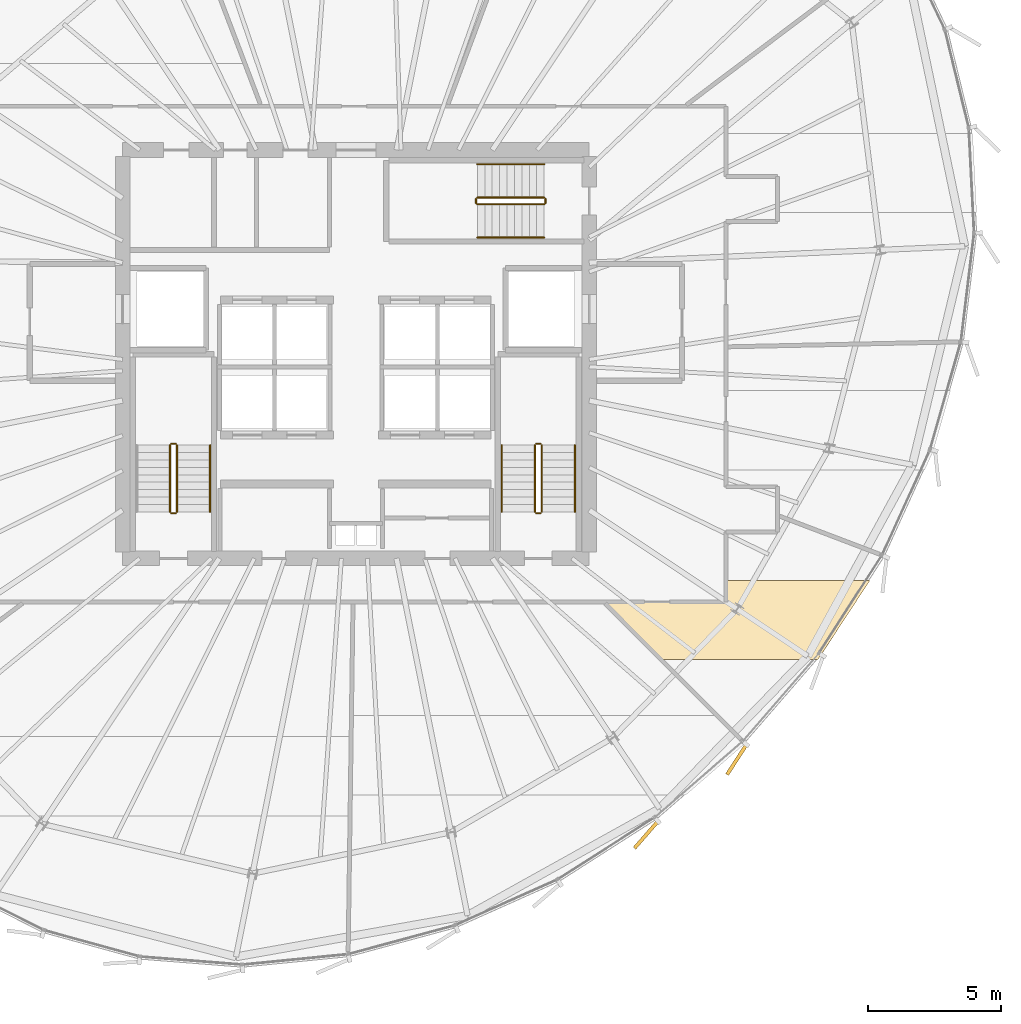
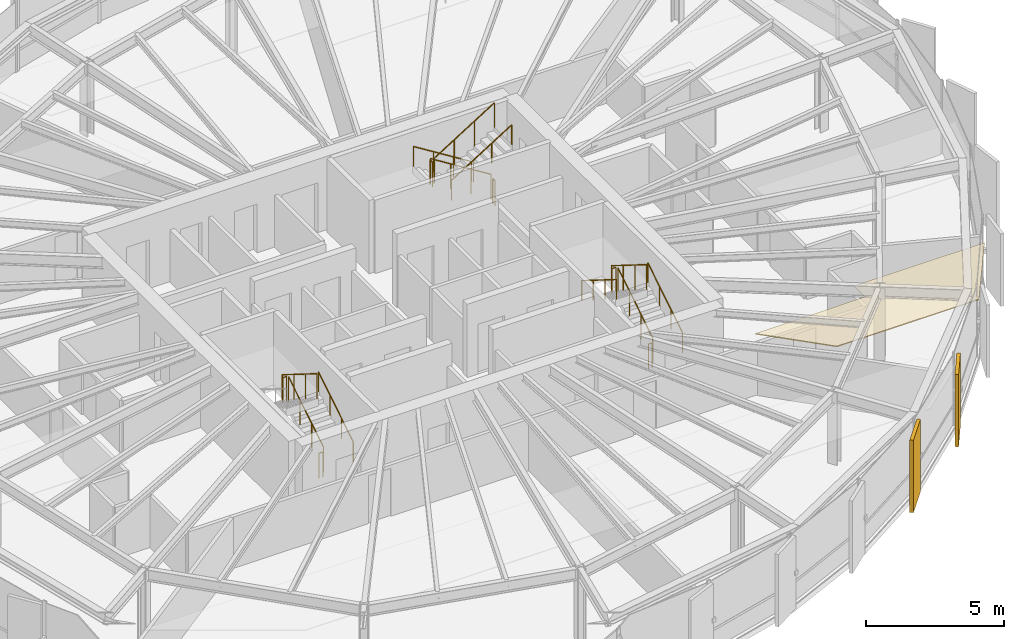
# One storey, part 33 of 34: 17 railings, 3 coverings.
"""IFC4 building model written with IfcOpenShell, lengths in metres."""

from ifc_helpers import new_model, si_unit, direction, frame, origin, origin_2d, place, context, subcontext, project, spatial, polyline, rectangle, circle, outline, extrude, source, transform, mapped, material, layer, layer_set, type_object, element, save


model = new_model("IFC4")

# Units and contexts
model_context = context("Model", 3, precision=1e-05, world=origin(), true_north=direction((0.0, 1.0)))
body_context = subcontext(model_context, "Body", "Model", "MODEL_VIEW")
ifc_project = project(units=[si_unit("LENGTHUNIT", "METRE"), si_unit("AREAUNIT", "SQUARE_METRE"), si_unit("VOLUMEUNIT", "CUBIC_METRE"), si_unit("PLANEANGLEUNIT", "RADIAN"), si_unit("MASSUNIT", "GRAM", prefix="KILO"), si_unit("THERMODYNAMICTEMPERATUREUNIT", "KELVIN")], contexts=[model_context])

# Site, building, storey
site_placement = place(None, origin())
site = spatial("IfcSite", under=ifc_project, at=site_placement, CompositionType="ELEMENT")
building_placement = place(site_placement, origin())
building = spatial("IfcBuilding", under=site, at=building_placement, Name="Kethvar Cultural Tower", CompositionType="ELEMENT")
storey_placement = place(building_placement, frame((0.0, 0.0, 214.89990234375)))
storey = spatial("IfcBuildingStorey", under=building, at=storey_placement, Name="L56", CompositionType="ELEMENT", Elevation=214.89990234375)

# Covering
ifc_material_1 = material(Name="Acoustic Mineral Fibre Ceiling")
ifc_layer_1 = layer(ifc_material_1, 0.0400390625, Name="Acoustic Mineral Fibre Ceiling")
ifc_layer_set_1 = layer_set([ifc_layer_1], Name="Acoustic Mineral Fibre Ceiling (40 mm)")
covering_type_1 = type_object("IfcCoveringType", Name="CV-ACOUSTIC-CEIL", PredefinedType="CEILING", material=ifc_layer_set_1)
covering_placement = place(storey_placement, frame((0.0, 0.0, 2.670166015625)))
element("IfcCovering", 1, at=covering_placement, inside=storey, type_object=covering_type_1, Name="L56 Room 03 Acoustic Ceiling Panel", PredefinedType="CEILING", context=body_context, shape_type="SweptSolid", body=[
    extrude(outline(polyline([(66.187744140625, 19.271484375), (64.226806640625, 16.281494140625), (58.2900390625, 16.281494140625), (56.13037109375, 18.453857421875), (60.72998046875, 18.469970703125), (60.72998046875, 19.271484375), (66.187744140625, 19.271484375)])), origin(), (0.0, 0.0, 1.0), 0.0400390625),
])

# Railings
ifc_material_2 = material(Name="Steel S355J2", Category="steel")
railing_type_1 = type_object("IfcRailingType", Name="RL-STAIR-GUARD", PredefinedType="BALUSTRADE", material=ifc_material_2)
railing_1_placement = place(storey_placement, frame((40.050048828125, 21.85009765625, 0.175048828125)))
element("IfcRailing", 2, at=railing_1_placement, inside=storey, type_object=railing_type_1, Name="L56 ST-01 stair guard 1", PredefinedType="BALUSTRADE", context=body_context, shape_type="SweptSolid", body=[
    extrude(circle(Radius=0.02392578125, at=origin_2d()), frame((0.0, 0.0, 1.09619140625), z_axis=(0.0, 0.848007534815, 0.529984170421), x_axis=(-1.0, 0.0, 0.0)), (0.0, 0.0, 1.0), 2.9716796875),
    extrude(circle(Radius=0.02099609375, at=origin_2d()), origin(), (0.0, 0.0, 1.0), 1.072021484375),
    extrude(circle(Radius=0.02099609375, at=origin_2d()), frame((0.0, 0.840087890625, 0.52490234375)), (0.0, 0.0, 1.0), 1.072021484375),
    extrude(circle(Radius=0.02099609375, at=origin_2d()), frame((0.0, 1.679931640625, 1.050048828125)), (0.0, 0.0, 1.0), 1.072021484375),
    extrude(circle(Radius=0.02099609375, at=origin_2d()), frame((0.0, 2.52001953125, 1.574951171875)), (0.0, 0.0, 1.0), 1.072021484375),
])
railing_2_placement = place(storey_placement, frame((40.0, 24.419921875, 1.75)))
element("IfcRailing", 3, at=railing_2_placement, inside=storey, type_object=railing_type_1, Name="L56 ST-01 stair guard 2", PredefinedType="BALUSTRADE", context=body_context, shape_type="SweptSolid", body=[
    extrude(circle(Radius=0.02392578125, at=origin_2d()), frame((0.0, 0.0, 1.09619140625), z_axis=(-1.0, 0.0, 0.0), x_axis=(0.0, -1.0, 0.0)), (0.0, 0.0, 1.0), 0.159912109375),
    extrude(circle(Radius=0.02099609375, at=origin_2d()), origin(), (0.0, 0.0, 1.0), 1.072021484375),
    extrude(circle(Radius=0.02099609375, at=origin_2d()), frame((-0.159912109375, 0.0, 0.0)), (0.0, 0.0, 1.0), 1.072021484375),
])
railing_3_placement = place(storey_placement, frame((39.7900390625, 24.3701171875, 1.925048828125)))
element("IfcRailing", 4, at=railing_3_placement, inside=storey, type_object=railing_type_1, Name="L56 ST-01 stair guard 3", PredefinedType="BALUSTRADE", context=body_context, shape_type="SweptSolid", body=[
    extrude(circle(Radius=0.02392578125, at=origin_2d()), frame((0.0, 0.0, 1.09619140625), z_axis=(0.0, -0.848007534815, 0.529984170421), x_axis=(1.0, 0.0, 0.0)), (0.0, 0.0, 1.0), 2.9716796875),
    extrude(circle(Radius=0.02099609375, at=origin_2d()), origin(), (0.0, 0.0, 1.0), 1.072021484375),
    extrude(circle(Radius=0.02099609375, at=origin_2d()), frame((0.0, -0.840087890625, 0.52490234375)), (0.0, 0.0, 1.0), 1.072021484375),
    extrude(circle(Radius=0.02099609375, at=origin_2d()), frame((0.0, -1.679931640625, 1.050048828125)), (0.0, 0.0, 1.0), 1.072021484375),
    extrude(circle(Radius=0.02099609375, at=origin_2d()), frame((0.0, -2.52001953125, 1.574951171875)), (0.0, 0.0, 1.0), 1.072021484375),
])
railing_4_placement = place(storey_placement, frame((40.0, 21.800048828125, 0.0)))
element("IfcRailing", 5, at=railing_4_placement, inside=storey, type_object=railing_type_1, Name="L56 ST-01 stair guard 4", PredefinedType="BALUSTRADE", context=body_context, shape_type="SweptSolid", body=[
    extrude(circle(Radius=0.02392578125, at=origin_2d()), frame((0.0, 0.0, 1.09619140625), z_axis=(-1.0, 0.0, 0.0), x_axis=(0.0, -1.0, 0.0)), (0.0, 0.0, 1.0), 0.159912109375),
    extrude(circle(Radius=0.02099609375, at=origin_2d()), origin(), (0.0, 0.0, 1.0), 1.072021484375),
    extrude(circle(Radius=0.02099609375, at=origin_2d()), frame((-0.159912109375, 0.0, 0.0)), (0.0, 0.0, 1.0), 1.072021484375),
])
railing_5_placement = place(storey_placement, frame((53.81005859375, 21.85009765625, 0.175048828125)))
element("IfcRailing", 6, at=railing_5_placement, inside=storey, type_object=railing_type_1, Name="L56 ST-02 stair guard 1", PredefinedType="BALUSTRADE", context=body_context, shape_type="SweptSolid", body=[
    extrude(circle(Radius=0.02392578125, at=origin_2d()), frame((0.0, 0.0, 1.09619140625), z_axis=(0.0, 0.848007534815, 0.529984170421), x_axis=(-1.0, 0.0, 0.0)), (0.0, 0.0, 1.0), 2.9716796875),
    extrude(circle(Radius=0.02099609375, at=origin_2d()), origin(), (0.0, 0.0, 1.0), 1.072021484375),
    extrude(circle(Radius=0.02099609375, at=origin_2d()), frame((0.0, 0.840087890625, 0.52490234375)), (0.0, 0.0, 1.0), 1.072021484375),
    extrude(circle(Radius=0.02099609375, at=origin_2d()), frame((0.0, 1.679931640625, 1.050048828125)), (0.0, 0.0, 1.0), 1.072021484375),
    extrude(circle(Radius=0.02099609375, at=origin_2d()), frame((0.0, 2.52001953125, 1.574951171875)), (0.0, 0.0, 1.0), 1.072021484375),
])
railing_6_placement = place(storey_placement, frame((53.760009765625, 24.419921875, 1.75)))
element("IfcRailing", 7, at=railing_6_placement, inside=storey, type_object=railing_type_1, Name="L56 ST-02 stair guard 2", PredefinedType="BALUSTRADE", context=body_context, shape_type="SweptSolid", body=[
    extrude(circle(Radius=0.02392578125, at=origin_2d()), frame((0.0, 0.0, 1.09619140625), z_axis=(-1.0, 0.0, 0.0), x_axis=(0.0, -1.0, 0.0)), (0.0, 0.0, 1.0), 0.159912109375),
    extrude(circle(Radius=0.02099609375, at=origin_2d()), origin(), (0.0, 0.0, 1.0), 1.072021484375),
    extrude(circle(Radius=0.02099609375, at=origin_2d()), frame((-0.159912109375, 0.0, 0.0)), (0.0, 0.0, 1.0), 1.072021484375),
])
railing_7_placement = place(storey_placement, frame((53.550048828125, 24.3701171875, 1.925048828125)))
element("IfcRailing", 8, at=railing_7_placement, inside=storey, type_object=railing_type_1, Name="L56 ST-02 stair guard 3", PredefinedType="BALUSTRADE", context=body_context, shape_type="SweptSolid", body=[
    extrude(circle(Radius=0.02392578125, at=origin_2d()), frame((0.0, 0.0, 1.09619140625), z_axis=(0.0, -0.848007534815, 0.529984170421), x_axis=(1.0, 0.0, 0.0)), (0.0, 0.0, 1.0), 2.9716796875),
    extrude(circle(Radius=0.02099609375, at=origin_2d()), origin(), (0.0, 0.0, 1.0), 1.072021484375),
    extrude(circle(Radius=0.02099609375, at=origin_2d()), frame((0.0, -0.840087890625, 0.52490234375)), (0.0, 0.0, 1.0), 1.072021484375),
    extrude(circle(Radius=0.02099609375, at=origin_2d()), frame((0.0, -1.679931640625, 1.050048828125)), (0.0, 0.0, 1.0), 1.072021484375),
    extrude(circle(Radius=0.02099609375, at=origin_2d()), frame((0.0, -2.52001953125, 1.574951171875)), (0.0, 0.0, 1.0), 1.072021484375),
])
railing_8_placement = place(storey_placement, frame((53.760009765625, 21.800048828125, 0.0)))
element("IfcRailing", 9, at=railing_8_placement, inside=storey, type_object=railing_type_1, Name="L56 ST-02 stair guard 4", PredefinedType="BALUSTRADE", context=body_context, shape_type="SweptSolid", body=[
    extrude(circle(Radius=0.02392578125, at=origin_2d()), frame((0.0, 0.0, 1.09619140625), z_axis=(-1.0, 0.0, 0.0), x_axis=(0.0, -1.0, 0.0)), (0.0, 0.0, 1.0), 0.159912109375),
    extrude(circle(Radius=0.02099609375, at=origin_2d()), origin(), (0.0, 0.0, 1.0), 1.072021484375),
    extrude(circle(Radius=0.02099609375, at=origin_2d()), frame((-0.159912109375, 0.0, 0.0)), (0.0, 0.0, 1.0), 1.072021484375),
])
railing_9_placement = place(storey_placement, frame((53.89990234375, 33.7099609375, 0.175048828125)))
element("IfcRailing", 10, at=railing_9_placement, inside=storey, type_object=railing_type_1, Name="L56 ST-03 stair guard 1", PredefinedType="BALUSTRADE", context=body_context, shape_type="SweptSolid", body=[
    extrude(circle(Radius=0.02392578125, at=origin_2d()), frame((0.0, 0.0, 1.09619140625), z_axis=(-0.848007534815, 0.0, 0.529984170421), x_axis=(0.0, -1.0, 0.0)), (0.0, 0.0, 1.0), 2.9716796875),
    extrude(circle(Radius=0.02099609375, at=origin_2d()), origin(), (0.0, 0.0, 1.0), 1.072021484375),
    extrude(circle(Radius=0.02099609375, at=origin_2d()), frame((-0.840087890625, 0.0, 0.52490234375)), (0.0, 0.0, 1.0), 1.072021484375),
    extrude(circle(Radius=0.02099609375, at=origin_2d()), frame((-1.679931640625, 0.0, 1.050048828125)), (0.0, 0.0, 1.0), 1.072021484375),
    extrude(circle(Radius=0.02099609375, at=origin_2d()), frame((-2.52001953125, 0.0, 1.574951171875)), (0.0, 0.0, 1.0), 1.072021484375),
])
railing_10_placement = place(storey_placement, frame((51.330078125, 33.659912109375, 1.75)))
element("IfcRailing", 11, at=railing_10_placement, inside=storey, type_object=railing_type_1, Name="L56 ST-03 stair guard 2", PredefinedType="BALUSTRADE", context=body_context, shape_type="SweptSolid", body=[
    extrude(circle(Radius=0.02392578125, at=origin_2d()), frame((0.0, 0.0, 1.09619140625), z_axis=(0.0, -1.0, 0.0), x_axis=(1.0, 0.0, 0.0)), (0.0, 0.0, 1.0), 0.159912109375),
    extrude(circle(Radius=0.02099609375, at=origin_2d()), origin(), (0.0, 0.0, 1.0), 1.072021484375),
    extrude(circle(Radius=0.02099609375, at=origin_2d()), frame((0.0, -0.159912109375, 0.0)), (0.0, 0.0, 1.0), 1.072021484375),
])
railing_11_placement = place(storey_placement, frame((51.3798828125, 33.449951171875, 1.925048828125)))
element("IfcRailing", 12, at=railing_11_placement, inside=storey, type_object=railing_type_1, Name="L56 ST-03 stair guard 3", PredefinedType="BALUSTRADE", context=body_context, shape_type="SweptSolid", body=[
    extrude(circle(Radius=0.02392578125, at=origin_2d()), frame((0.0, 0.0, 1.09619140625), z_axis=(0.848007534815, 0.0, 0.529984170421), x_axis=(0.0, 1.0, 0.0)), (0.0, 0.0, 1.0), 2.9716796875),
    extrude(circle(Radius=0.02099609375, at=origin_2d()), origin(), (0.0, 0.0, 1.0), 1.072021484375),
    extrude(circle(Radius=0.02099609375, at=origin_2d()), frame((0.840087890625, 0.0, 0.52490234375)), (0.0, 0.0, 1.0), 1.072021484375),
    extrude(circle(Radius=0.02099609375, at=origin_2d()), frame((1.679931640625, 0.0, 1.050048828125)), (0.0, 0.0, 1.0), 1.072021484375),
    extrude(circle(Radius=0.02099609375, at=origin_2d()), frame((2.52001953125, 0.0, 1.574951171875)), (0.0, 0.0, 1.0), 1.072021484375),
])
railing_12_placement = place(storey_placement, frame((53.949951171875, 33.659912109375, 0.0)))
element("IfcRailing", 13, at=railing_12_placement, inside=storey, type_object=railing_type_1, Name="L56 ST-03 stair guard 4", PredefinedType="BALUSTRADE", context=body_context, shape_type="SweptSolid", body=[
    extrude(circle(Radius=0.02392578125, at=origin_2d()), frame((0.0, 0.0, 1.09619140625), z_axis=(0.0, -1.0, 0.0), x_axis=(1.0, 0.0, 0.0)), (0.0, 0.0, 1.0), 0.159912109375),
    extrude(circle(Radius=0.02099609375, at=origin_2d()), origin(), (0.0, 0.0, 1.0), 1.072021484375),
    extrude(circle(Radius=0.02099609375, at=origin_2d()), frame((0.0, -0.159912109375, 0.0)), (0.0, 0.0, 1.0), 1.072021484375),
])
railing_type_2 = type_object("IfcRailingType", Name="RL-STAIR-HANDRAIL", PredefinedType="HANDRAIL", material=ifc_material_2)
for number, where, name in (
    (14, (41.300048828125, 21.85009765625, 0.175048828125), "L56 ST-01 stair handrail 1"),
    (15, (55.06005859375, 21.85009765625, 0.175048828125), "L56 ST-02 stair handrail 1"),
):
    element("IfcRailing", number, at=place(storey_placement, frame(where)), inside=storey, type_object=railing_type_2, Name=name, PredefinedType="HANDRAIL", context=body_context, shape_type="SweptSolid", body=[
        extrude(circle(Radius=0.02392578125, at=origin_2d()), frame((0.0, 0.0, 0.8759765625), z_axis=(0.0, 0.848007534815, 0.529984170421), x_axis=(-1.0, 0.0, 0.0)), (0.0, 0.0, 1.0), 2.9716796875),
        extrude(circle(Radius=0.02099609375, at=origin_2d()), origin(), (0.0, 0.0, 1.0), 0.851806640625),
        extrude(circle(Radius=0.02099609375, at=origin_2d()), frame((0.0, 0.840087890625, 0.52490234375)), (0.0, 0.0, 1.0), 0.851806640625),
        extrude(circle(Radius=0.02099609375, at=origin_2d()), frame((0.0, 1.679931640625, 1.050048828125)), (0.0, 0.0, 1.0), 0.851806640625),
        extrude(circle(Radius=0.02099609375, at=origin_2d()), frame((0.0, 2.52001953125, 1.574951171875)), (0.0, 0.0, 1.0), 0.851806640625),
    ])
railing_13_placement = place(storey_placement, frame((52.300048828125, 24.3701171875, 1.925048828125)))
element("IfcRailing", 16, at=railing_13_placement, inside=storey, type_object=railing_type_2, Name="L56 ST-02 stair handrail 2", PredefinedType="HANDRAIL", context=body_context, shape_type="SweptSolid", body=[
    extrude(circle(Radius=0.02392578125, at=origin_2d()), frame((0.0, 0.0, 0.8759765625), z_axis=(0.0, -0.848007534815, 0.529984170421), x_axis=(1.0, 0.0, 0.0)), (0.0, 0.0, 1.0), 2.9716796875),
    extrude(circle(Radius=0.02099609375, at=origin_2d()), origin(), (0.0, 0.0, 1.0), 0.851806640625),
    extrude(circle(Radius=0.02099609375, at=origin_2d()), frame((0.0, -0.840087890625, 0.52490234375)), (0.0, 0.0, 1.0), 0.851806640625),
    extrude(circle(Radius=0.02099609375, at=origin_2d()), frame((0.0, -1.679931640625, 1.050048828125)), (0.0, 0.0, 1.0), 0.851806640625),
    extrude(circle(Radius=0.02099609375, at=origin_2d()), frame((0.0, -2.52001953125, 1.574951171875)), (0.0, 0.0, 1.0), 0.851806640625),
])
railing_14_placement = place(storey_placement, frame((53.89990234375, 34.9599609375, 0.175048828125)))
element("IfcRailing", 17, at=railing_14_placement, inside=storey, type_object=railing_type_2, Name="L56 ST-03 stair handrail 1", PredefinedType="HANDRAIL", context=body_context, shape_type="SweptSolid", body=[
    extrude(circle(Radius=0.02392578125, at=origin_2d()), frame((0.0, 0.0, 0.8759765625), z_axis=(-0.848007534815, 0.0, 0.529984170421), x_axis=(0.0, -1.0, 0.0)), (0.0, 0.0, 1.0), 2.9716796875),
    extrude(circle(Radius=0.02099609375, at=origin_2d()), origin(), (0.0, 0.0, 1.0), 0.851806640625),
    extrude(circle(Radius=0.02099609375, at=origin_2d()), frame((-0.840087890625, 0.0, 0.52490234375)), (0.0, 0.0, 1.0), 0.851806640625),
    extrude(circle(Radius=0.02099609375, at=origin_2d()), frame((-1.679931640625, 0.0, 1.050048828125)), (0.0, 0.0, 1.0), 0.851806640625),
    extrude(circle(Radius=0.02099609375, at=origin_2d()), frame((-2.52001953125, 0.0, 1.574951171875)), (0.0, 0.0, 1.0), 0.851806640625),
])
railing_15_placement = place(storey_placement, frame((51.3798828125, 32.199951171875, 1.925048828125)))
element("IfcRailing", 18, at=railing_15_placement, inside=storey, type_object=railing_type_2, Name="L56 ST-03 stair handrail 2", PredefinedType="HANDRAIL", context=body_context, shape_type="SweptSolid", body=[
    extrude(circle(Radius=0.02392578125, at=origin_2d()), frame((0.0, 0.0, 0.8759765625), z_axis=(0.848007534815, 0.0, 0.529984170421), x_axis=(0.0, 1.0, 0.0)), (0.0, 0.0, 1.0), 2.9716796875),
    extrude(circle(Radius=0.02099609375, at=origin_2d()), origin(), (0.0, 0.0, 1.0), 0.851806640625),
    extrude(circle(Radius=0.02099609375, at=origin_2d()), frame((0.840087890625, 0.0, 0.52490234375)), (0.0, 0.0, 1.0), 0.851806640625),
    extrude(circle(Radius=0.02099609375, at=origin_2d()), frame((1.679931640625, 0.0, 1.050048828125)), (0.0, 0.0, 1.0), 0.851806640625),
    extrude(circle(Radius=0.02099609375, at=origin_2d()), frame((2.52001953125, 0.0, 1.574951171875)), (0.0, 0.0, 1.0), 0.851806640625),
])

# Coverings
ifc_material_3 = material(Name="Extruded Architectural Terracotta", Category="masonry")
ifc_layer_2 = layer(ifc_material_3, 0.135009765625, Name="Extruded Architectural Terracotta", Category="masonry")
ifc_layer_set_2 = layer_set([ifc_layer_2], Name="Extruded Architectural Terracotta (135 mm)")
covering_type_2 = type_object("IfcCoveringType", Name="Terracotta Facade Fin FIN-03", PredefinedType="CLADDING", material=ifc_layer_set_2)
shared_shape = source(origin(), body_context, "Body", "SweptSolid", [
    extrude(rectangle(XDim=1.35009765625, YDim=0.135009765625, at=origin_2d()), origin(), (0.0, 0.0, 1.0), 3.199951171875),
])
for number, where, z_axis, x_axis, name in (
    (19, (57.748291015625, 9.676513671875, 0.02001953125), (0.0, 0.0, 1.0), (-0.657375245794, -0.753563392302, 0.0), "L56 Vertical Terracotta Fin 5.3"),
    (20, (61.16357421875, 12.51123046875, 0.02001953125), (0.0, 0.0, 1.0), (-0.543320982988, -0.839525049921, 0.0), "L56 Vertical Terracotta Fin 5.4"),
):
    element("IfcCovering", number, at=place(storey_placement, frame(where, z_axis=z_axis, x_axis=x_axis)), inside=storey, type_object=covering_type_2, Name=name, PredefinedType="CLADDING", context=body_context, shape_type="MappedRepresentation", body=[
        mapped(shared_shape, transform((0.0, 0.0, 0.0), scale=1.0)),
    ])

save(model, "model.ifc")
